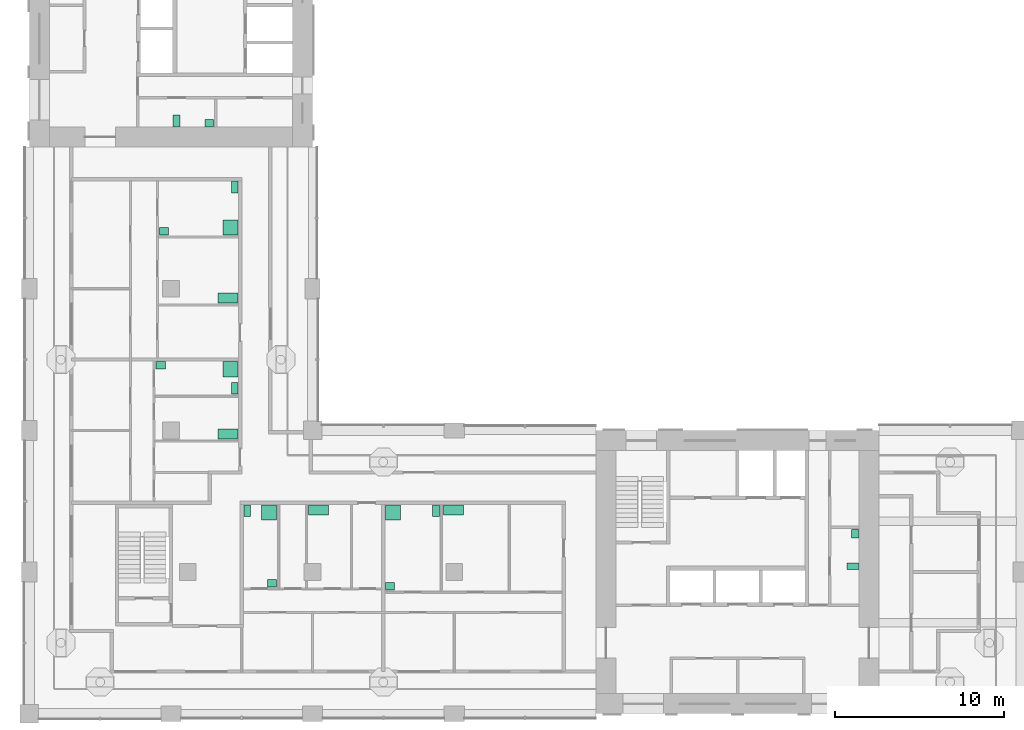
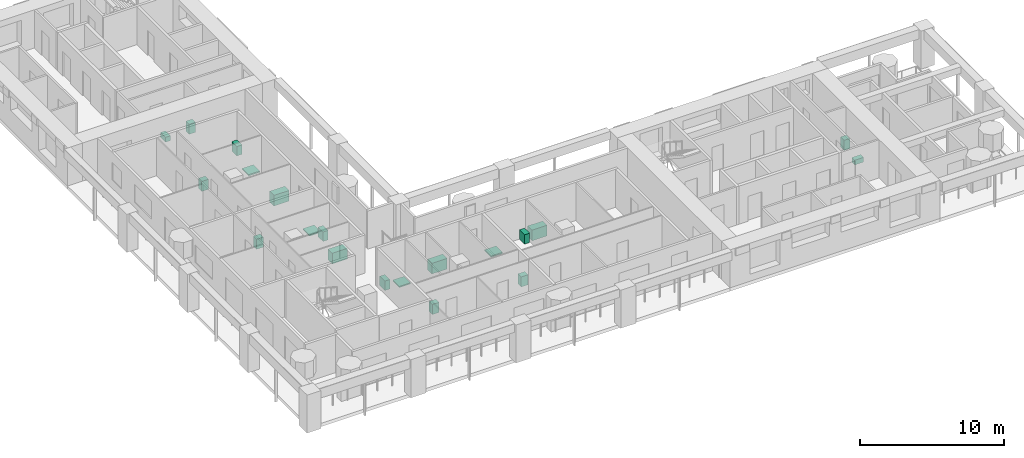
# One storey, part 11 of 13: 20 sanitary terminals.
"""IFC4 building model written with IfcOpenShell, lengths in metres."""

from ifc_helpers import new_model, si_unit, direction, frame, origin, origin_2d, place, context, subcontext, project, spatial, rectangle, extrude, material, element, save


model = new_model("IFC4")

# Units and contexts
model_context = context("Model", 3, precision=1e-05, world=origin(), true_north=direction((0.0, 1.0)))
body_context = subcontext(model_context, "Body", "Model", "MODEL_VIEW")
ifc_project = project(units=[si_unit("LENGTHUNIT", "METRE"), si_unit("AREAUNIT", "SQUARE_METRE"), si_unit("VOLUMEUNIT", "CUBIC_METRE"), si_unit("PLANEANGLEUNIT", "RADIAN"), si_unit("MASSUNIT", "GRAM", prefix="KILO")], contexts=[model_context])

# Site, building, storey
site_placement = place(None, origin())
site = spatial("IfcSite", under=ifc_project, at=site_placement, CompositionType="ELEMENT")
building_placement = place(site_placement, origin())
building = spatial("IfcBuilding", under=site, at=building_placement, Name="Vermilion Gate Residences", CompositionType="ELEMENT")
storey_placement = place(building_placement, frame((0.0, 0.0, 182.699951171875)))
storey = spatial("IfcBuildingStorey", under=building, at=storey_placement, Name="L47", CompositionType="ELEMENT", Elevation=182.699951171875)

# Sanitary terminals
ifc_material_1 = material(Name="Vitreous china")
sanitary_terminal_1_placement = place(storey_placement, frame((57.25, 17.137451171875, 0.0), z_axis=(0.0, 0.0, 1.0), x_axis=(1.0, 0.0, 0.0)))
element("IfcSanitaryTerminal", 1, at=sanitary_terminal_1_placement, inside=storey, material=ifc_material_1, Name="Toilet pan A47", PredefinedType="TOILETPAN", context=body_context, shape_type="SweptSolid", body=[
    extrude(rectangle(XDim=0.699951171875, YDim=0.39990234375, at=origin_2d()), origin(), (0.0, 0.0, 1.0), 0.39990234375),
])
sanitary_terminal_2_placement = place(storey_placement, frame((57.375, 19.074951171875, 0.0), z_axis=(0.0, 0.0, 1.0), x_axis=(1.0, 0.0, 0.0)))
element("IfcSanitaryTerminal", 2, at=sanitary_terminal_2_placement, inside=storey, material=ifc_material_1, Name="Washbasin A47", PredefinedType="WASHHANDBASIN", context=body_context, shape_type="SweptSolid", body=[
    extrude(rectangle(XDim=0.449951171875, YDim=0.5, at=origin_2d()), origin(), (0.0, 0.0, 1.0), 0.85009765625),
])
sanitary_terminal_3_placement = place(storey_placement, frame((17.137451171875, 43.550048828125, 0.0), z_axis=(0.0, 0.0, 1.0), x_axis=(1.0, 0.0, 0.0)))
element("IfcSanitaryTerminal", 3, at=sanitary_terminal_3_placement, inside=storey, material=ifc_material_1, Name="Toilet pan B47", PredefinedType="TOILETPAN", context=body_context, shape_type="SweptSolid", body=[
    extrude(rectangle(XDim=0.39990234375, YDim=0.699951171875, at=origin_2d()), origin(), (0.0, 0.0, 1.0), 0.39990234375),
])
sanitary_terminal_4_placement = place(storey_placement, frame((19.074951171875, 43.425048828125, 0.0), z_axis=(0.0, 0.0, 1.0), x_axis=(1.0, 0.0, 0.0)))
element("IfcSanitaryTerminal", 4, at=sanitary_terminal_4_placement, inside=storey, material=ifc_material_1, Name="Washbasin B47", PredefinedType="WASHHANDBASIN", context=body_context, shape_type="SweptSolid", body=[
    extrude(rectangle(XDim=0.5, YDim=0.449951171875, at=origin_2d()), origin(), (0.0, 0.0, 1.0), 0.85009765625),
])
sanitary_terminal_5_placement = place(storey_placement, frame((22.6201171875, 20.330078125, 0.0), z_axis=(0.0, 0.0, 1.0), x_axis=(1.0, 0.0, 0.0)))
element("IfcSanitaryTerminal", 5, at=sanitary_terminal_5_placement, inside=storey, material=ifc_material_1, Name="Shower tray", PredefinedType="SHOWER", context=body_context, shape_type="SweptSolid", body=[
    extrude(rectangle(XDim=0.89990234375, YDim=0.89990234375, at=origin_2d()), origin(), (0.0, 0.0, 1.0), 0.10009765625),
])
sanitary_terminal_6_placement = place(storey_placement, frame((21.320068359375, 20.429931640625, 0.0), z_axis=(0.0, 0.0, 1.0), x_axis=(1.0, 0.0, 0.0)))
element("IfcSanitaryTerminal", 6, at=sanitary_terminal_6_placement, inside=storey, material=ifc_material_1, Name="Toilet", PredefinedType="TOILETPAN", context=body_context, shape_type="SweptSolid", body=[
    extrude(rectangle(XDim=0.39990234375, YDim=0.699951171875, at=origin_2d()), origin(), (0.0, 0.0, 1.0), 0.800048828125),
])
sanitary_terminal_7_placement = place(storey_placement, frame((22.794921875, 16.14501953125, 0.0), z_axis=(0.0, 0.0, 1.0), x_axis=(1.0, 0.0, 0.0)))
element("IfcSanitaryTerminal", 7, at=sanitary_terminal_7_placement, inside=storey, material=ifc_material_1, Name="Wash basin", PredefinedType="WASHHANDBASIN", context=body_context, shape_type="SweptSolid", body=[
    extrude(rectangle(XDim=0.550048828125, YDim=0.449951171875, at=origin_2d()), origin(), (0.0, 0.0, 1.0), 0.85009765625),
])
ifc_material_2 = material(Name="Stainless steel", Category="steel")
sanitary_terminal_8_placement = place(storey_placement, frame((25.552001953125, 20.47998046875, 0.0), z_axis=(0.0, 0.0, 1.0), x_axis=(1.0, 0.0, 0.0)))
element("IfcSanitaryTerminal", 8, at=sanitary_terminal_8_placement, inside=storey, material=ifc_material_2, Name="Kitchen sink", PredefinedType="SINK", context=body_context, shape_type="SweptSolid", body=[
    extrude(rectangle(XDim=1.199951171875, YDim=0.60009765625, at=origin_2d()), origin(), (0.0, 0.0, 1.0), 0.89990234375),
])
sanitary_terminal_9_placement = place(storey_placement, frame((29.969970703125, 20.330078125, 0.0), z_axis=(0.0, 0.0, 1.0), x_axis=(1.0, 0.0, 0.0)))
element("IfcSanitaryTerminal", 9, at=sanitary_terminal_9_placement, inside=storey, material=ifc_material_1, Name="Shower tray", PredefinedType="SHOWER", context=body_context, shape_type="SweptSolid", body=[
    extrude(rectangle(XDim=0.89990234375, YDim=0.89990234375, at=origin_2d()), origin(), (0.0, 0.0, 1.0), 0.10009765625),
])
sanitary_terminal_10_placement = place(storey_placement, frame((32.512939453125, 20.429931640625, 0.0), z_axis=(0.0, 0.0, 1.0), x_axis=(1.0, 0.0, 0.0)))
element("IfcSanitaryTerminal", 10, at=sanitary_terminal_10_placement, inside=storey, material=ifc_material_1, Name="Toilet", PredefinedType="TOILETPAN", context=body_context, shape_type="SweptSolid", body=[
    extrude(rectangle(XDim=0.39990234375, YDim=0.699951171875, at=origin_2d()), origin(), (0.0, 0.0, 1.0), 0.800048828125),
])
sanitary_terminal_11_placement = place(storey_placement, frame((29.794921875, 15.945068359375, 0.0), z_axis=(0.0, 0.0, 1.0), x_axis=(1.0, 0.0, 0.0)))
element("IfcSanitaryTerminal", 11, at=sanitary_terminal_11_placement, inside=storey, material=ifc_material_1, Name="Wash basin", PredefinedType="WASHHANDBASIN", context=body_context, shape_type="SweptSolid", body=[
    extrude(rectangle(XDim=0.550048828125, YDim=0.449951171875, at=origin_2d()), origin(), (0.0, 0.0, 1.0), 0.85009765625),
])
for number, where, z_axis, x_axis, name in (
    (12, (33.552978515625, 20.47998046875, 0.0), (0.0, 0.0, 1.0), (1.0, 0.0, 0.0), "Kitchen sink"),
    (13, (20.179931640625, 24.98291015625, 0.0), (0.0, 0.0, 1.0), (1.0, 0.0, 0.0), "Kitchen sink"),
):
    element("IfcSanitaryTerminal", number, at=place(storey_placement, frame(where, z_axis=z_axis, x_axis=x_axis)), inside=storey, material=ifc_material_2, Name=name, PredefinedType="SINK", context=body_context, shape_type="SweptSolid", body=[
        extrude(rectangle(XDim=1.199951171875, YDim=0.60009765625, at=origin_2d()), origin(), (0.0, 0.0, 1.0), 0.89990234375),
    ])
sanitary_terminal_12_placement = place(storey_placement, frame((20.330078125, 28.830078125, 0.0), z_axis=(0.0, 0.0, 1.0), x_axis=(1.0, 0.0, 0.0)))
element("IfcSanitaryTerminal", 14, at=sanitary_terminal_12_placement, inside=storey, material=ifc_material_1, Name="Shower tray", PredefinedType="SHOWER", context=body_context, shape_type="SweptSolid", body=[
    extrude(rectangle(XDim=0.89990234375, YDim=0.89990234375, at=origin_2d()), origin(), (0.0, 0.0, 1.0), 0.10009765625),
])
sanitary_terminal_13_placement = place(storey_placement, frame((20.580078125, 27.695068359375, 0.0), z_axis=(0.0, 0.0, 1.0), x_axis=(1.0, 0.0, 0.0)))
element("IfcSanitaryTerminal", 15, at=sanitary_terminal_13_placement, inside=storey, material=ifc_material_1, Name="Toilet", PredefinedType="TOILETPAN", context=body_context, shape_type="SweptSolid", body=[
    extrude(rectangle(XDim=0.39990234375, YDim=0.699951171875, at=origin_2d()), origin(), (0.0, 0.0, 1.0), 0.800048828125),
])
sanitary_terminal_14_placement = place(storey_placement, frame((16.195068359375, 29.054931640625, 0.0), z_axis=(0.0, 0.0, 1.0), x_axis=(1.0, 0.0, 0.0)))
element("IfcSanitaryTerminal", 16, at=sanitary_terminal_14_placement, inside=storey, material=ifc_material_1, Name="Wash basin", PredefinedType="WASHHANDBASIN", context=body_context, shape_type="SweptSolid", body=[
    extrude(rectangle(XDim=0.550048828125, YDim=0.449951171875, at=origin_2d()), origin(), (0.0, 0.0, 1.0), 0.85009765625),
])
sanitary_terminal_15_placement = place(storey_placement, frame((20.179931640625, 33.052978515625, 0.0), z_axis=(0.0, 0.0, 1.0), x_axis=(1.0, 0.0, 0.0)))
element("IfcSanitaryTerminal", 17, at=sanitary_terminal_15_placement, inside=storey, material=ifc_material_2, Name="Kitchen sink", PredefinedType="SINK", context=body_context, shape_type="SweptSolid", body=[
    extrude(rectangle(XDim=1.199951171875, YDim=0.60009765625, at=origin_2d()), origin(), (0.0, 0.0, 1.0), 0.89990234375),
])
sanitary_terminal_16_placement = place(storey_placement, frame((20.330078125, 37.237060546875, 0.0), z_axis=(0.0, 0.0, 1.0), x_axis=(1.0, 0.0, 0.0)))
element("IfcSanitaryTerminal", 18, at=sanitary_terminal_16_placement, inside=storey, material=ifc_material_1, Name="Shower tray", PredefinedType="SHOWER", context=body_context, shape_type="SweptSolid", body=[
    extrude(rectangle(XDim=0.89990234375, YDim=0.89990234375, at=origin_2d()), origin(), (0.0, 0.0, 1.0), 0.10009765625),
])
sanitary_terminal_17_placement = place(storey_placement, frame((20.580078125, 39.6298828125, 0.0), z_axis=(0.0, 0.0, 1.0), x_axis=(1.0, 0.0, 0.0)))
element("IfcSanitaryTerminal", 19, at=sanitary_terminal_17_placement, inside=storey, material=ifc_material_1, Name="Toilet", PredefinedType="TOILETPAN", context=body_context, shape_type="SweptSolid", body=[
    extrude(rectangle(XDim=0.39990234375, YDim=0.699951171875, at=origin_2d()), origin(), (0.0, 0.0, 1.0), 0.800048828125),
])
sanitary_terminal_18_placement = place(storey_placement, frame((16.39501953125, 37.011962890625, 0.0), z_axis=(0.0, 0.0, 1.0), x_axis=(1.0, 0.0, 0.0)))
element("IfcSanitaryTerminal", 20, at=sanitary_terminal_18_placement, inside=storey, material=ifc_material_1, Name="Wash basin", PredefinedType="WASHHANDBASIN", context=body_context, shape_type="SweptSolid", body=[
    extrude(rectangle(XDim=0.550048828125, YDim=0.449951171875, at=origin_2d()), origin(), (0.0, 0.0, 1.0), 0.85009765625),
])

save(model, "model.ifc")
